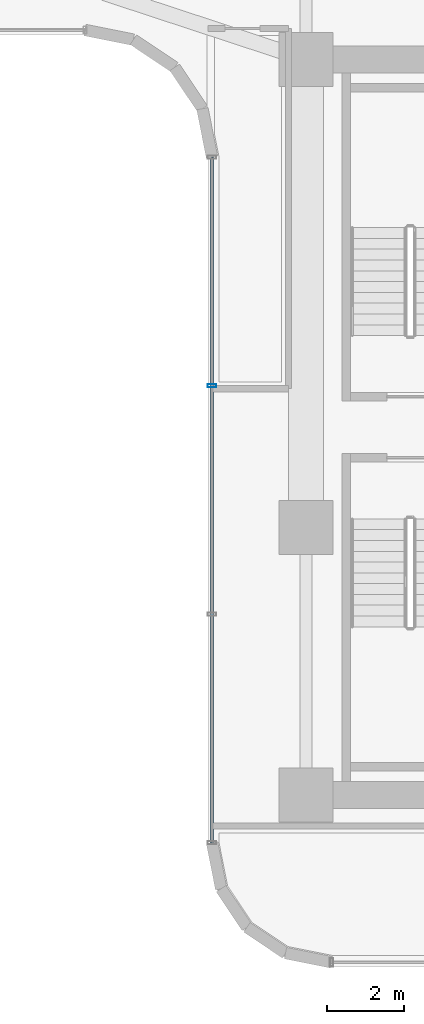
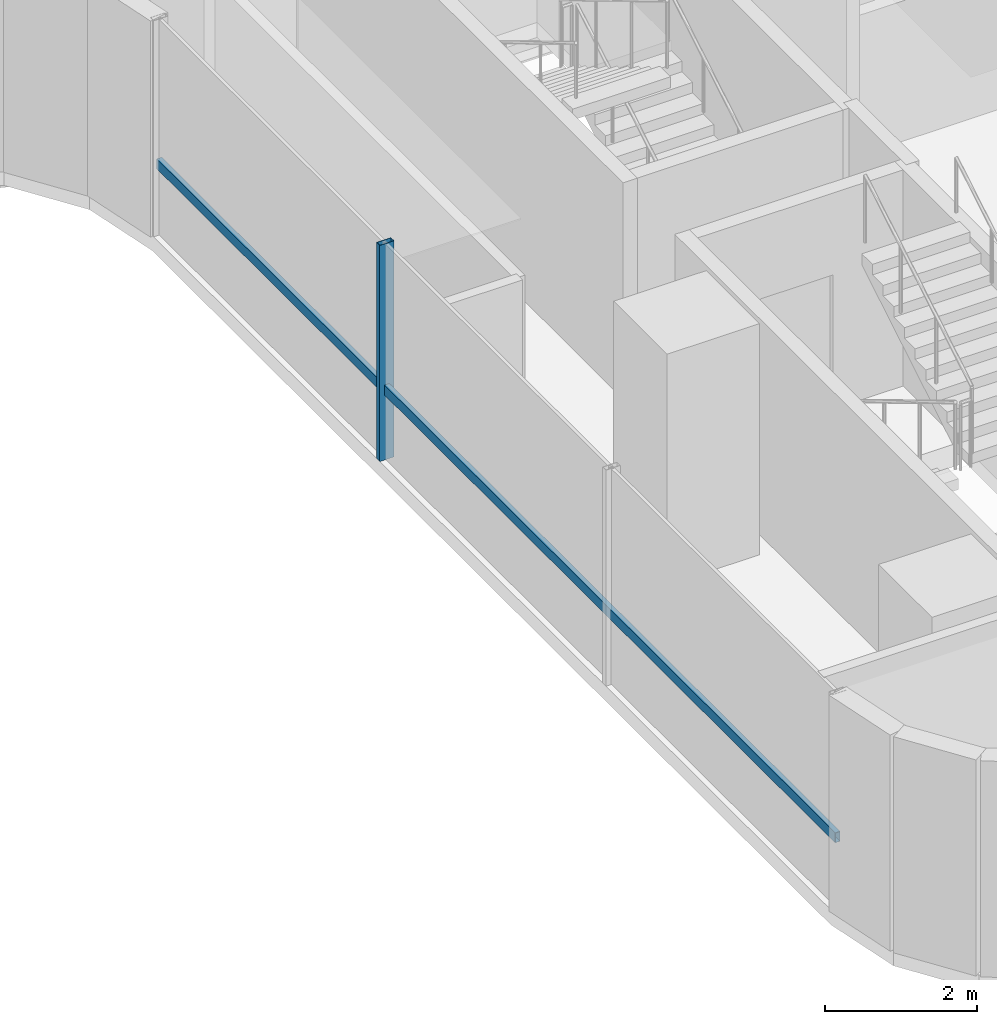
# One storey, part 13 of 39: 2 members, 1 element without a shape of its own.
"""IFC4 building model written with IfcOpenShell, lengths in metres."""

from ifc_helpers import new_model, si_unit, direction, frame, origin, origin_2d, place, context, subcontext, project, spatial, hollow_rectangle, extrude, source, transform, mapped, material, material_profile, profile_set, type_object, element, aggregate, save


model = new_model("IFC4")

# Units and contexts
model_context = context("Model", 3, precision=1e-05, world=origin(), true_north=direction((0.0, 1.0)))
body_context = subcontext(model_context, "Body", "Model", "MODEL_VIEW")
ifc_project = project(units=[si_unit("LENGTHUNIT", "METRE"), si_unit("AREAUNIT", "SQUARE_METRE"), si_unit("VOLUMEUNIT", "CUBIC_METRE"), si_unit("PLANEANGLEUNIT", "RADIAN"), si_unit("MASSUNIT", "GRAM", prefix="KILO")], contexts=[model_context])

# Site, building, storey
site_placement = place(None, origin())
site = spatial("IfcSite", under=ifc_project, at=site_placement, CompositionType="ELEMENT")
building_placement = place(site_placement, origin())
building = spatial("IfcBuilding", under=site, at=building_placement, Name="Valdorenza Pilgrim Sanctuary Tower", CompositionType="ELEMENT")
storey_placement = place(building_placement, frame((0.0, 0.0, 70.39990234375)))
storey = spatial("IfcBuildingStorey", under=building, at=storey_placement, Name="L17", CompositionType="ELEMENT", Elevation=70.39990234375)

# Curtain wall, members
ifc_material_1 = material(Name="Curtain-wall IGU glazing", Category="glass")
curtain_wall_type = type_object("IfcCurtainWallType", Name="CW-SYS-03", PredefinedType="NOTDEFINED", material=ifc_material_1)
curtain_wall_placement = place(storey_placement, origin())
curtain_wall = element("IfcCurtainWall", 1, at=curtain_wall_placement, inside=storey, type_object=curtain_wall_type, Name="L17 Curtain Wall CW-L17-1-31", PredefinedType="NOTDEFINED")
ifc_material_2 = material(Name="Anodised aluminium AW-6060", Category="aluminium")
ifc_material_profile_1 = material_profile(ifc_material_2, hollow_rectangle(XDim=0.074951171875, YDim=0.159912109375, WallThickness=0.00390625, at=origin_2d()), Name="ALU-T 160x75x4")
ifc_profile_set_1 = profile_set([ifc_material_profile_1], Name="Anodised aluminium AW-6060")
member_type_1 = type_object("IfcMemberType", Name="CW-TRN-03", PredefinedType="USERDEFINED", material=ifc_profile_set_1)
shared_shape_1 = source(origin(), body_context, "Body", "SweptSolid", [
    extrude(hollow_rectangle(XDim=0.074951171875, YDim=0.159912109375, WallThickness=0.00390625, at=origin_2d()), origin(), (0.0, 0.0, 1.0), 17.800048828125),
])
member_1_placement = place(storey_placement, frame((13.409912109375, -10.789306640625, 1.1201171875), z_axis=(0.0, 1.0, 0.0), x_axis=(-1.0, 0.0, 0.0)))
member_1 = element("IfcMember", 2, at=member_1_placement, type_object=member_type_1, Name="CW-L17-1-31 Transom 1", ObjectType="TRANSOM", PredefinedType="USERDEFINED", context=body_context, shape_type="MappedRepresentation", body=[
    mapped(shared_shape_1, transform((0.0, 0.0, 0.0), x_axis=(1.0, 0.0, 0.0), y_axis=(0.0, 1.0, 0.0), z_axis=(0.0, 0.0, 1.0), scale=1.0)),
])
ifc_material_profile_2 = material_profile(ifc_material_2, hollow_rectangle(XDim=0.0849609375, YDim=0.219970703125, WallThickness=0.0048828125, at=origin_2d()), Name="ALU-M 220x85x5")
ifc_profile_set_2 = profile_set([ifc_material_profile_2], Name="Anodised aluminium AW-6060")
member_type_2 = type_object("IfcMemberType", Name="CW-MUL-03", PredefinedType="MULLION", material=ifc_profile_set_2)
shared_shape_2 = source(origin(), body_context, "Body", "SweptSolid", [
    extrude(hollow_rectangle(XDim=0.0849609375, YDim=0.219970703125, WallThickness=0.0048828125, at=origin_2d()), origin(), (0.0, 0.0, 1.0), 3.460205078125),
])
member_2_placement = place(storey_placement, frame((13.409912109375, 1.077392578125, 0.0), z_axis=(0.0, 0.0, 1.0), x_axis=(0.0, 1.0, 0.0)))
member_2 = element("IfcMember", 3, at=member_2_placement, type_object=member_type_2, Name="CW-L17-1-31 Mullion 3", PredefinedType="MULLION", context=body_context, shape_type="MappedRepresentation", body=[
    mapped(shared_shape_2, transform((0.0, 0.0, 0.0), x_axis=(1.0, 0.0, 0.0), y_axis=(0.0, 1.0, 0.0), z_axis=(0.0, 0.0, 1.0), scale=1.0)),
])
aggregate(curtain_wall, [member_2, member_1])

save(model, "model.ifc")
